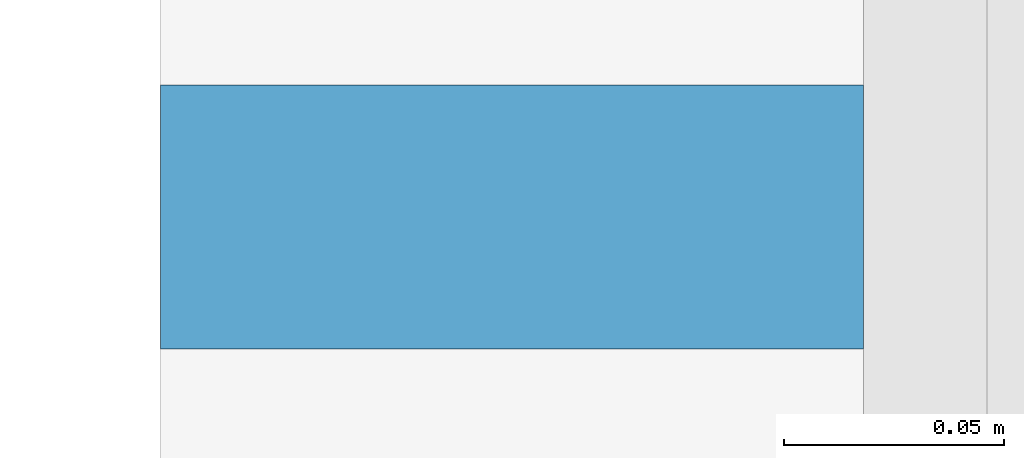
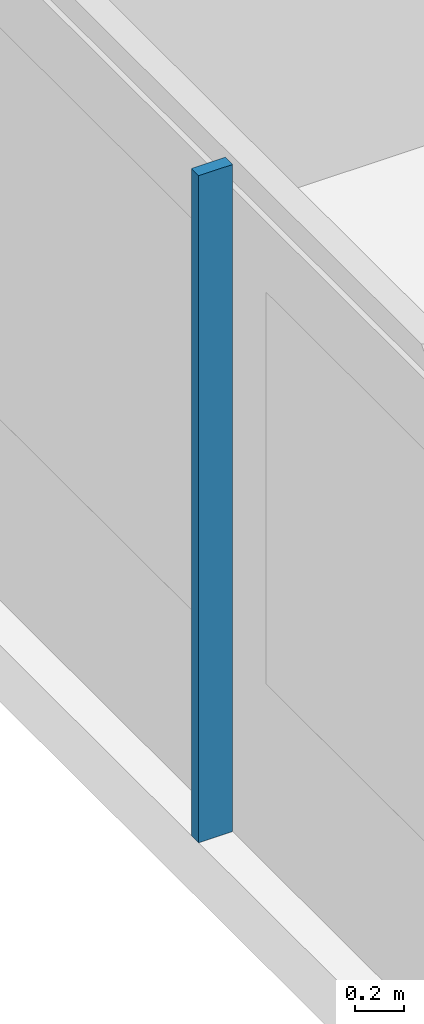
# One storey, part 4 of 24: 1 member, 1 element without a shape of its own.
"""IFC4 building model written with IfcOpenShell, lengths in metres."""

from ifc_helpers import new_model, si_unit, direction, frame, origin, origin_2d, place, context, subcontext, project, spatial, rectangle, extrude, material, material_profile, profile_set, type_object, element, aggregate, save


model = new_model("IFC4")

# Units and contexts
model_context = context("Model", 3, precision=1e-05, world=origin(), true_north=direction((0.0, 1.0)))
body_context = subcontext(model_context, "Body", "Model", "MODEL_VIEW")
ifc_project = project(units=[si_unit("LENGTHUNIT", "METRE"), si_unit("AREAUNIT", "SQUARE_METRE"), si_unit("VOLUMEUNIT", "CUBIC_METRE"), si_unit("PLANEANGLEUNIT", "RADIAN"), si_unit("MASSUNIT", "GRAM", prefix="KILO")], contexts=[model_context])

# Site, building, storey
site_placement = place(None, origin())
site = spatial("IfcSite", under=ifc_project, at=site_placement, CompositionType="ELEMENT")
building_placement = place(site_placement, origin())
building = spatial("IfcBuilding", under=site, at=building_placement, Name="Saffron Gate Tower", CompositionType="ELEMENT")
storey_placement = place(building_placement, frame((0.0, 0.0, 281.550048828125)))
storey = spatial("IfcBuildingStorey", under=building, at=storey_placement, Name="L68", CompositionType="ELEMENT", Elevation=281.550048828125)

# Curtain wall, member
ifc_material = material(Name="Aluminium, bronze anodised", Category="aluminium")
curtain_wall_type = type_object("IfcCurtainWallType", Name="CWS2 curtain wall side facades", PredefinedType="NOTDEFINED", material=ifc_material)
curtain_wall_placement = place(storey_placement, origin())
curtain_wall = element("IfcCurtainWall", 1, at=curtain_wall_placement, inside=storey, type_object=curtain_wall_type, Name="CWS2 run 10", PredefinedType="NOTDEFINED")
ifc_material_profile = material_profile(ifc_material, rectangle(XDim=0.159912109375, YDim=0.06005859375, at=origin_2d()))
ifc_profile_set = profile_set([ifc_material_profile], Name="Aluminium, bronze anodised")
member_type = type_object("IfcMemberType", Name="CWS2 mullion 60x160", PredefinedType="MULLION", material=ifc_profile_set)
member_placement = place(storey_placement, frame((56.47998046875, 48.60009765625, 0.0), z_axis=(0.0, 0.0, 1.0), x_axis=(1.0, 0.0, 0.0)))
member = element("IfcMember", 2, at=member_placement, type_object=member_type, Name="CWS2 mullion 4", PredefinedType="MULLION", context=body_context, shape_type="SweptSolid", body=[
    extrude(rectangle(XDim=0.159912109375, YDim=0.06005859375, at=origin_2d()), origin(), (0.0, 0.0, 1.0), 3.320068359375),
])
aggregate(curtain_wall, [member])

save(model, "model.ifc")
